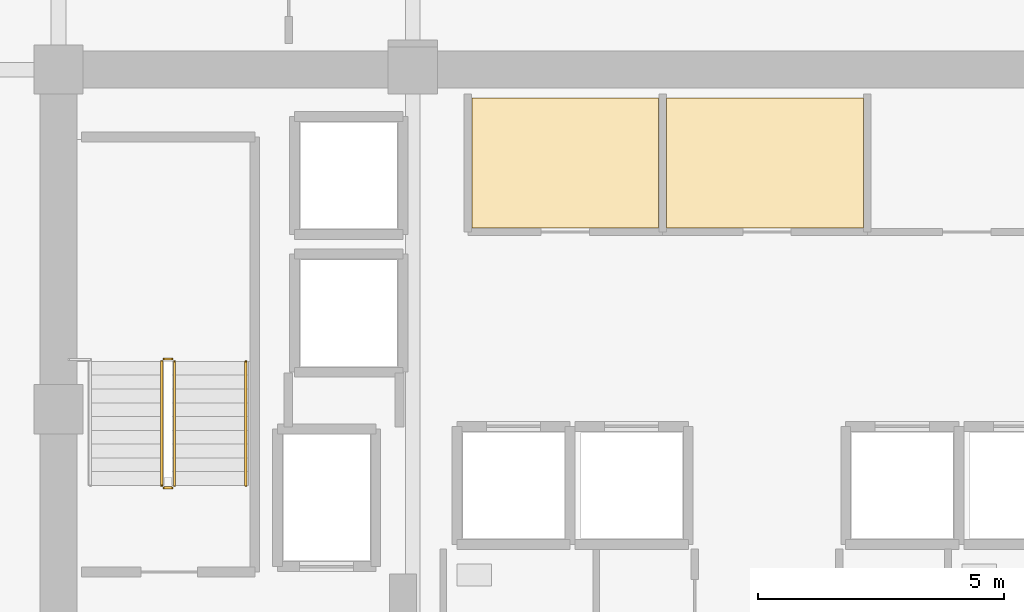
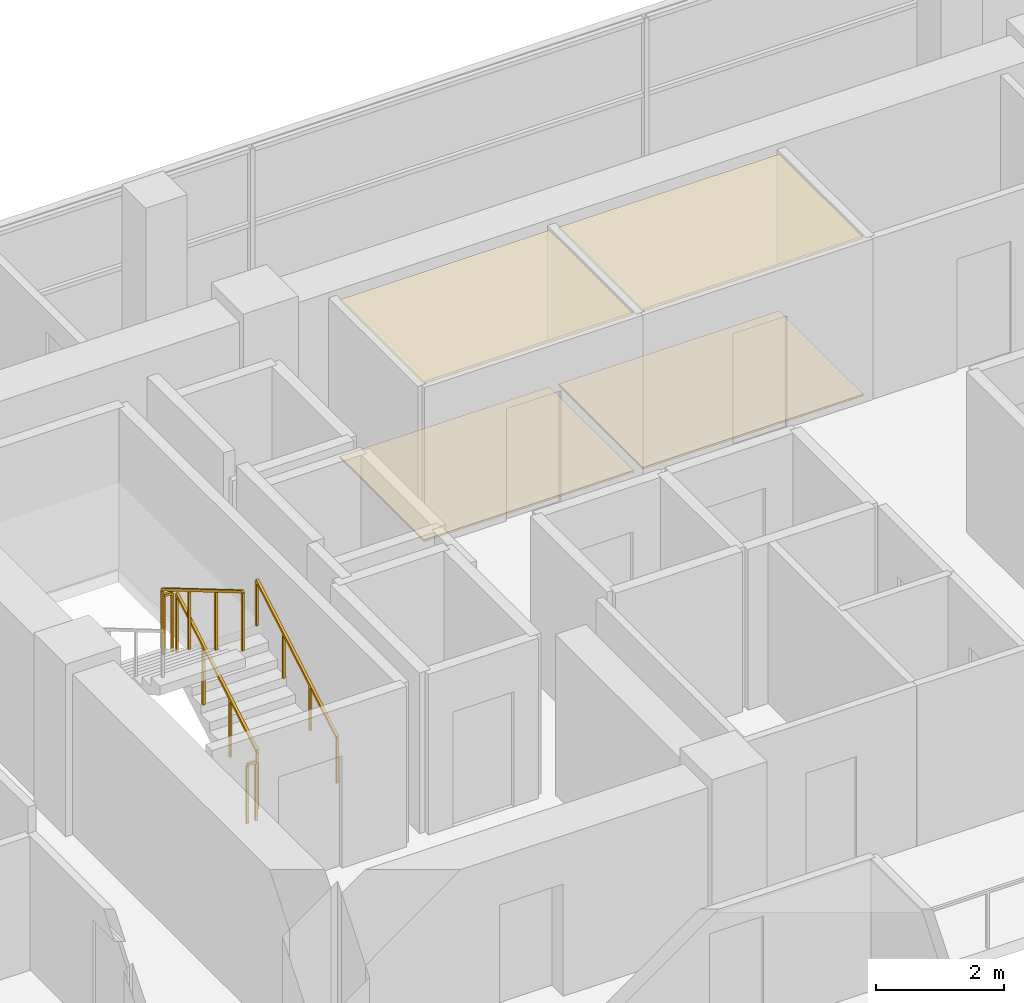
# One storey, part 20 of 22: 5 railings, 4 coverings.
"""IFC4 building model written with IfcOpenShell, lengths in metres."""

from ifc_helpers import new_model, si_unit, direction, frame, origin, origin_2d, place, context, subcontext, project, spatial, polyline, rectangle, outline, extrude, material, layer, layer_set, type_object, element, save


model = new_model("IFC4")

# Units and contexts
model_context = context("Model", 3, precision=1e-05, world=origin(), true_north=direction((0.0, 1.0)))
body_context = subcontext(model_context, "Body", "Model", "MODEL_VIEW")
ifc_project = project(units=[si_unit("LENGTHUNIT", "METRE"), si_unit("AREAUNIT", "SQUARE_METRE"), si_unit("VOLUMEUNIT", "CUBIC_METRE"), si_unit("PLANEANGLEUNIT", "RADIAN"), si_unit("MASSUNIT", "GRAM", prefix="KILO")], contexts=[model_context])

# Site, building, storey
site_placement = place(None, origin())
site = spatial("IfcSite", under=ifc_project, at=site_placement, CompositionType="ELEMENT")
building_placement = place(site_placement, origin())
building = spatial("IfcBuilding", under=site, at=building_placement, Name="Zarnakvel Exchange Tower", CompositionType="ELEMENT")
storey_placement = place(building_placement, frame((0.0, 0.0, 179.199951171875)))
storey = spatial("IfcBuildingStorey", under=building, at=storey_placement, Name="L50", CompositionType="ELEMENT", Elevation=179.199951171875)

# Coverings
ifc_material_1 = material(Name="Perforated Bronze Acoustic Metal Ceiling", Category="aluminium")
ifc_layer_1 = layer(ifc_material_1, 0.02001953125)
ifc_layer_set_1 = layer_set([ifc_layer_1], Name="Perforated Bronze Acoustic Metal Ceiling")
covering_type_1 = type_object("IfcCoveringType", Name="CLG-01", PredefinedType="CEILING", material=ifc_layer_set_1)
covering_1_placement = place(storey_placement, frame((0.0, 0.0, 3.01513671875)))
element("IfcCovering", 1, at=covering_1_placement, inside=storey, type_object=covering_type_1, Name="L50 Suspended Acoustic Ceiling (Clearing Records Office)", PredefinedType="CEILING", context=body_context, shape_type="SweptSolid", body=[
    extrude(outline(polyline([(-6.0, 12.919921875), (-2.199951171875, 12.919921875), (-2.199951171875, 10.280029296875), (-6.0, 10.280029296875), (-6.0, 12.919921875)])), origin(), (0.0, 0.0, 1.0), 0.02001953125),
])
covering_2_placement = place(storey_placement, frame((0.0, 0.0, 3.01513671875)))
element("IfcCovering", 2, at=covering_2_placement, inside=storey, type_object=covering_type_1, Name="L50 Suspended Acoustic Ceiling (Brokerage Filing Room)", PredefinedType="CEILING", context=body_context, shape_type="SweptSolid", body=[
    extrude(outline(polyline([(-2.0400390625, 12.919921875), (1.9599609375, 12.919921875), (1.9599609375, 10.280029296875), (-2.0400390625, 10.280029296875), (-2.0400390625, 12.919921875)])), origin(), (0.0, 0.0, 1.0), 0.02001953125),
])
ifc_material_2 = material(Name="Heavy-Duty Raised Access Floor Panel", Category="steel")
ifc_layer_2 = layer(ifc_material_2, 0.034912109375)
ifc_layer_set_2 = layer_set([ifc_layer_2], Name="Heavy-Duty Raised Access Floor Panel")
covering_type_2 = type_object("IfcCoveringType", Name="FLR-02", PredefinedType="FLOORING", material=ifc_layer_set_2)
covering_3_placement = place(storey_placement, origin())
element("IfcCovering", 3, at=covering_3_placement, inside=storey, type_object=covering_type_2, Name="L50 Floor Finish (Clearing Records Office)", PredefinedType="FLOORING", context=body_context, shape_type="SweptSolid", body=[
    extrude(outline(polyline([(-6.0, 12.919921875), (-2.199951171875, 12.919921875), (-2.199951171875, 10.280029296875), (-6.0, 10.280029296875), (-6.0, 12.919921875)])), origin(), (0.0, 0.0, 1.0), 0.03515625),
])
covering_4_placement = place(storey_placement, origin())
element("IfcCovering", 4, at=covering_4_placement, inside=storey, type_object=covering_type_2, Name="L50 Floor Finish (Brokerage Filing Room)", PredefinedType="FLOORING", context=body_context, shape_type="SweptSolid", body=[
    extrude(outline(polyline([(-2.0400390625, 12.919921875), (1.9599609375, 12.919921875), (1.9599609375, 10.280029296875), (-2.0400390625, 10.280029296875), (-2.0400390625, 12.919921875)])), origin(), (0.0, 0.0, 1.0), 0.03515625),
])

# Railings
ifc_material_3 = material(Name="Brushed Stainless Steel", Category="steel")
railing_type_1 = type_object("IfcRailingType", Name="HR-01", PredefinedType="HANDRAIL", material=ifc_material_3)
railing_1_placement = place(storey_placement, frame((-10.590087890625, 5.050048828125, 0.1650390625)))
element("IfcRailing", 5, at=railing_1_placement, inside=storey, type_object=railing_type_1, Name="L50 ST-01 stair handrail 1", PredefinedType="HANDRAIL", context=body_context, shape_type="SweptSolid", body=[
    extrude(rectangle(XDim=0.048095703125, YDim=0.048095703125, at=origin_2d()), frame((0.0, 0.0, 0.8759765625), z_axis=(0.0, 0.86152411907, 0.507716645641), x_axis=(-1.0, 0.0, 0.0)), (0.0, 0.0, 1.0), 2.925048828125),
    extrude(rectangle(XDim=0.0419921875, YDim=0.0419921875, at=origin_2d()), origin(), (0.0, 0.0, 1.0), 0.851806640625),
    extrude(rectangle(XDim=0.0419921875, YDim=0.0419921875, at=origin_2d()), frame((0.0, 0.840087890625, 0.4951171875)), (0.0, 0.0, 1.0), 0.851806640625),
    extrude(rectangle(XDim=0.0419921875, YDim=0.0419921875, at=origin_2d()), frame((0.0, 1.679931640625, 0.989990234375)), (0.0, 0.0, 1.0), 0.851806640625),
    extrude(rectangle(XDim=0.0419921875, YDim=0.0419921875, at=origin_2d()), frame((0.0, 2.52001953125, 1.485107421875)), (0.0, 0.0, 1.0), 0.851806640625),
])
ifc_material_4 = material(Name="Architectural Bronze Anodised Aluminium", Category="aluminium")
railing_type_2 = type_object("IfcRailingType", Name="SG-01", PredefinedType="GUARDRAIL", material=ifc_material_4)
railing_2_placement = place(storey_placement, frame((-12.0400390625, 5.050048828125, 0.1650390625)))
element("IfcRailing", 6, at=railing_2_placement, inside=storey, type_object=railing_type_2, Name="L50 ST-01 stair guard 1", PredefinedType="GUARDRAIL", context=body_context, shape_type="SweptSolid", body=[
    extrude(rectangle(XDim=0.048095703125, YDim=0.048095703125, at=origin_2d()), frame((0.0, 0.0, 1.1259765625), z_axis=(0.0, 0.86152411907, 0.507716645641), x_axis=(-1.0, 0.0, 0.0)), (0.0, 0.0, 1.0), 2.925048828125),
    extrude(rectangle(XDim=0.0419921875, YDim=0.0419921875, at=origin_2d()), origin(), (0.0, 0.0, 1.0), 1.101806640625),
    extrude(rectangle(XDim=0.0419921875, YDim=0.0419921875, at=origin_2d()), frame((0.0, 0.840087890625, 0.4951171875)), (0.0, 0.0, 1.0), 1.101806640625),
    extrude(rectangle(XDim=0.0419921875, YDim=0.0419921875, at=origin_2d()), frame((0.0, 1.679931640625, 0.989990234375)), (0.0, 0.0, 1.0), 1.101806640625),
    extrude(rectangle(XDim=0.0419921875, YDim=0.0419921875, at=origin_2d()), frame((0.0, 2.52001953125, 1.485107421875)), (0.0, 0.0, 1.0), 1.101806640625),
])
railing_3_placement = place(storey_placement, frame((-12.090087890625, 7.6201171875, 1.650146484375)))
element("IfcRailing", 7, at=railing_3_placement, inside=storey, type_object=railing_type_2, Name="L50 ST-01 stair guard 2", PredefinedType="GUARDRAIL", context=body_context, shape_type="SweptSolid", body=[
    extrude(rectangle(XDim=0.048095703125, YDim=0.048095703125, at=origin_2d()), frame((0.0, 0.0, 1.1259765625), z_axis=(-1.0, 0.0, 0.0), x_axis=(0.0, -1.0, 0.0)), (0.0, 0.0, 1.0), 0.159912109375),
    extrude(rectangle(XDim=0.0419921875, YDim=0.0419921875, at=origin_2d()), origin(), (0.0, 0.0, 1.0), 1.101806640625),
    extrude(rectangle(XDim=0.0419921875, YDim=0.0419921875, at=origin_2d()), frame((-0.159912109375, 0.0, 0.0)), (0.0, 0.0, 1.0), 1.101806640625),
])
railing_4_placement = place(storey_placement, frame((-12.300048828125, 7.570068359375, 1.81494140625)))
element("IfcRailing", 8, at=railing_4_placement, inside=storey, type_object=railing_type_2, Name="L50 ST-01 stair guard 3", PredefinedType="GUARDRAIL", context=body_context, shape_type="SweptSolid", body=[
    extrude(rectangle(XDim=0.048095703125, YDim=0.048095703125, at=origin_2d()), frame((0.0, 0.0, 1.1259765625), z_axis=(0.0, -0.86152411907, 0.507716645641), x_axis=(1.0, 0.0, 0.0)), (0.0, 0.0, 1.0), 2.925048828125),
    extrude(rectangle(XDim=0.0419921875, YDim=0.0419921875, at=origin_2d()), origin(), (0.0, 0.0, 1.0), 1.101806640625),
    extrude(rectangle(XDim=0.0419921875, YDim=0.0419921875, at=origin_2d()), frame((0.0, -0.840087890625, 0.4951171875)), (0.0, 0.0, 1.0), 1.101806640625),
    extrude(rectangle(XDim=0.0419921875, YDim=0.0419921875, at=origin_2d()), frame((0.0, -1.679931640625, 0.989990234375)), (0.0, 0.0, 1.0), 1.101806640625),
    extrude(rectangle(XDim=0.0419921875, YDim=0.0419921875, at=origin_2d()), frame((0.0, -2.52001953125, 1.485107421875)), (0.0, 0.0, 1.0), 1.101806640625),
])
railing_5_placement = place(storey_placement, frame((-12.090087890625, 5.0, 0.0)))
element("IfcRailing", 9, at=railing_5_placement, inside=storey, type_object=railing_type_2, Name="L50 ST-01 stair guard 4", PredefinedType="GUARDRAIL", context=body_context, shape_type="SweptSolid", body=[
    extrude(rectangle(XDim=0.048095703125, YDim=0.048095703125, at=origin_2d()), frame((0.0, 0.0, 1.1259765625), z_axis=(-1.0, 0.0, 0.0), x_axis=(0.0, -1.0, 0.0)), (0.0, 0.0, 1.0), 0.159912109375),
    extrude(rectangle(XDim=0.0419921875, YDim=0.0419921875, at=origin_2d()), origin(), (0.0, 0.0, 1.0), 1.101806640625),
    extrude(rectangle(XDim=0.0419921875, YDim=0.0419921875, at=origin_2d()), frame((-0.159912109375, 0.0, 0.0)), (0.0, 0.0, 1.0), 1.101806640625),
])

save(model, "model.ifc")
